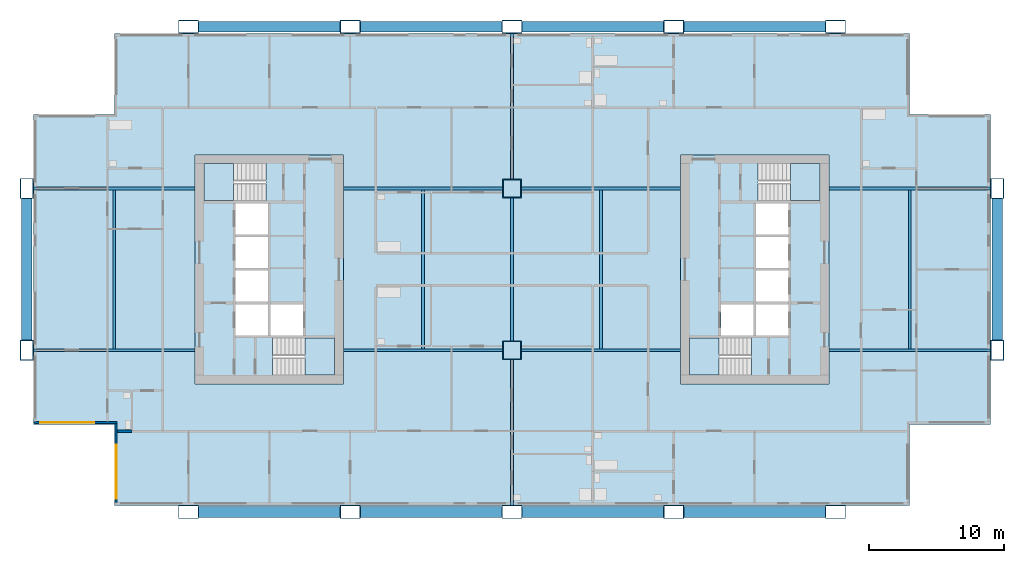
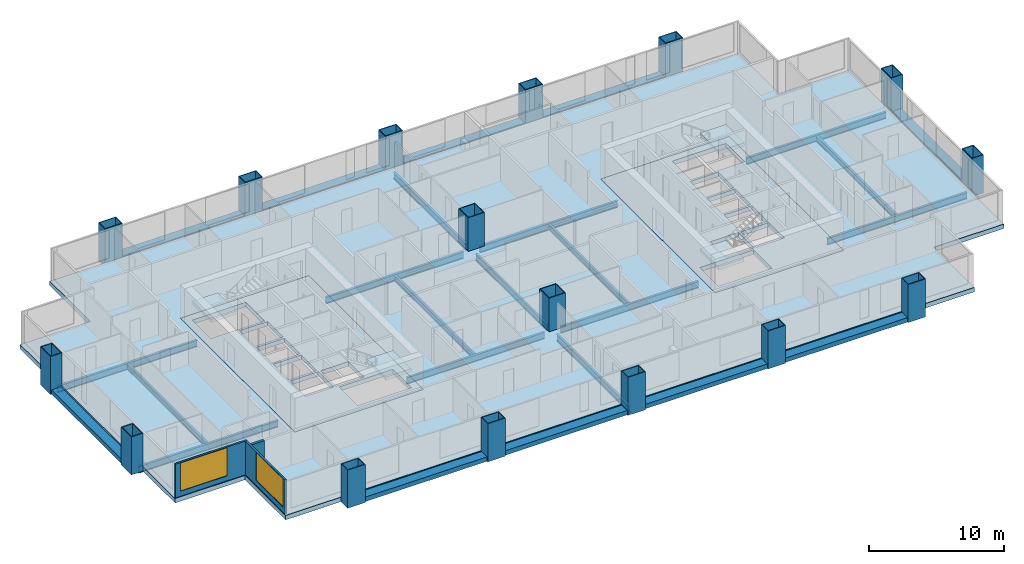
# One storey, part 1 of 11: 25 beams, 16 columns, 7 slabs, 3 walls, 2 windows, 2 openings, 4 elements without a shape of their own.
"""IFC4 building model written with IfcOpenShell, lengths in metres."""

from ifc_helpers import new_model, si_unit, direction, frame, frame_2d, origin, origin_2d, place, context, subcontext, project, spatial, polyline, rectangle, hollow_rectangle, i_section, outline, extrude, material, layer, layer_set, material_profile, profile_set, type_object, element, fill, aggregate, save


model = new_model("IFC4")

# Units and contexts
model_context = context("Model", 3, precision=1e-05, world=origin(), true_north=direction((0.0, 1.0)))
body_context = subcontext(model_context, "Body", "Model", "MODEL_VIEW")
ifc_project = project(units=[si_unit("LENGTHUNIT", "METRE"), si_unit("AREAUNIT", "SQUARE_METRE"), si_unit("VOLUMEUNIT", "CUBIC_METRE"), si_unit("PLANEANGLEUNIT", "RADIAN"), si_unit("MASSUNIT", "GRAM", prefix="KILO")], contexts=[model_context])

# Site, building, storey
site_placement = place(None, origin())
site = spatial("IfcSite", under=ifc_project, at=site_placement, CompositionType="ELEMENT")
building_placement = place(site_placement, origin())
building = spatial("IfcBuilding", under=site, at=building_placement, Name="Kitamizu Gate Tower and Museum", CompositionType="ELEMENT")
storey_placement = place(building_placement, frame((0.0, 0.0, 120.75)))
storey = spatial("IfcBuildingStorey", under=building, at=storey_placement, Name="L31", CompositionType="ELEMENT", Elevation=120.75)

# Columns
ifc_material_1 = material(Name="Steel SM490A bronze coated", Category="steel")
ifc_material_profile_1 = material_profile(ifc_material_1, hollow_rectangle(XDim=1.5, YDim=1.0, WallThickness=0.06005859375, at=origin_2d()), Name="BOX 1500x1000x60")
ifc_profile_set_1 = profile_set([ifc_material_profile_1], Name="Steel SM490A bronze coated")
column_type_1 = type_object("IfcColumnType", Name="Exoskeleton column XC4 BOX 1500x1000x60", PredefinedType="COLUMN", material=ifc_profile_set_1)
for number, where, z_axis, x_axis, name in (
    (1, (0.0, 24.0, -0.39990234375), (0.0, 0.0, 1.0), (0.0, 1.0, 0.0), "Column XC4 1C L31"),
    (2, (0.0, 36.0, -0.39990234375), (0.0, 0.0, 1.0), (0.0, 1.0, 0.0), "Column XC4 1D L31"),
    (3, (12.0, 12.0, -0.39990234375), (0.0, 0.0, 1.0), (1.0, 0.0, 0.0), "Column XC4 2B L31"),
    (4, (12.0, 48.0, -0.39990234375), (0.0, 0.0, 1.0), (1.0, 0.0, 0.0), "Column XC4 2E L31"),
    (5, (24.0, 12.0, -0.39990234375), (0.0, 0.0, 1.0), (1.0, 0.0, 0.0), "Column XC4 3B L31"),
    (6, (24.0, 48.0, -0.39990234375), (0.0, 0.0, 1.0), (1.0, 0.0, 0.0), "Column XC4 3E L31"),
    (7, (36.0, 12.0, -0.39990234375), (0.0, 0.0, 1.0), (1.0, 0.0, 0.0), "Column XC4 4B L31"),
    (8, (36.0, 48.0, -0.39990234375), (0.0, 0.0, 1.0), (1.0, 0.0, 0.0), "Column XC4 4E L31"),
    (9, (48.0, 12.0, -0.39990234375), (0.0, 0.0, 1.0), (1.0, 0.0, 0.0), "Column XC4 5B L31"),
    (10, (48.0, 48.0, -0.39990234375), (0.0, 0.0, 1.0), (1.0, 0.0, 0.0), "Column XC4 5E L31"),
    (11, (60.0, 12.0, -0.39990234375), (0.0, 0.0, 1.0), (1.0, 0.0, 0.0), "Column XC4 6B L31"),
    (12, (60.0, 48.0, -0.39990234375), (0.0, 0.0, 1.0), (1.0, 0.0, 0.0), "Column XC4 6E L31"),
    (13, (72.0, 24.0, -0.39990234375), (0.0, 0.0, 1.0), (0.0, 1.0, 0.0), "Column XC4 7C L31"),
    (14, (72.0, 36.0, -0.39990234375), (0.0, 0.0, 1.0), (0.0, 1.0, 0.0), "Column XC4 7D L31"),
):
    element("IfcColumn", number, at=place(storey_placement, frame(where, z_axis=z_axis, x_axis=x_axis)), inside=storey, type_object=column_type_1, Name=name, PredefinedType="COLUMN", context=body_context, shape_type="SweptSolid", body=[
        extrude(hollow_rectangle(XDim=1.5, YDim=1.0, WallThickness=0.06005859375, at=origin_2d()), origin(), (0.0, 0.0, 1.0), 3.449951171875),
    ])
ifc_material_2 = material(Name="Steel SM490A", Category="steel")
ifc_material_profile_2 = material_profile(ifc_material_2, hollow_rectangle(XDim=1.39990234375, YDim=1.39990234375, WallThickness=0.06005859375, at=origin_2d()), Name="BOX 1400x1400x60")
ifc_profile_set_2 = profile_set([ifc_material_profile_2], Name="Steel SM490A")
column_type_2 = type_object("IfcColumnType", Name="Interior column IC3 BOX 1400x1400x60", PredefinedType="COLUMN", material=ifc_profile_set_2)
for number, where, z_axis, x_axis, name in (
    (15, (36.0, 24.0, 0.0), (0.0, 0.0, 1.0), (1.0, 0.0, 0.0), "Column IC3 4C L31"),
    (16, (36.0, 36.0, 0.0), (0.0, 0.0, 1.0), (1.0, 0.0, 0.0), "Column IC3 4D L31"),
):
    element("IfcColumn", number, at=place(storey_placement, frame(where, z_axis=z_axis, x_axis=x_axis)), inside=storey, type_object=column_type_2, Name=name, PredefinedType="COLUMN", context=body_context, shape_type="SweptSolid", body=[
        extrude(hollow_rectangle(XDim=1.39990234375, YDim=1.39990234375, WallThickness=0.06005859375, at=origin_2d()), origin(), (0.0, 0.0, 1.0), 3.050048828125),
    ])

# Beams
ifc_material_3 = material(Name="Steel SM490A bronze coated", Category="steel")
ifc_material_profile_3 = material_profile(ifc_material_3, hollow_rectangle(XDim=0.800048828125, YDim=0.39990234375, WallThickness=0.0400390625, at=origin_2d()), Name="BOX 800x400x40")
ifc_profile_set_3 = profile_set([ifc_material_profile_3], Name="Steel SM490A bronze coated")
beam_type_1 = type_object("IfcBeamType", Name="Exoskeleton spandrel beam SB1 BOX 800x400x40", PredefinedType="SPANDREL", material=ifc_profile_set_3)
for number, where, z_axis, x_axis, name in (
    (17, (12.75, 12.0, -0.199951171875), (1.0, 0.0, 0.0), (0.0, 1.0, 0.0), "Exoskeleton spandrel beam south 12 L31"),
    (18, (24.75, 12.0, -0.199951171875), (1.0, 0.0, 0.0), (0.0, 1.0, 0.0), "Exoskeleton spandrel beam south 24 L31"),
    (19, (36.75, 12.0, -0.199951171875), (1.0, 0.0, 0.0), (0.0, 1.0, 0.0), "Exoskeleton spandrel beam south 36 L31"),
    (20, (48.75, 12.0, -0.199951171875), (1.0, 0.0, 0.0), (0.0, 1.0, 0.0), "Exoskeleton spandrel beam south 48 L31"),
    (21, (12.75, 48.0, -0.199951171875), (1.0, 0.0, 0.0), (0.0, 1.0, 0.0), "Exoskeleton spandrel beam north 12 L31"),
    (22, (24.75, 48.0, -0.199951171875), (1.0, 0.0, 0.0), (0.0, 1.0, 0.0), "Exoskeleton spandrel beam north 24 L31"),
    (23, (36.75, 48.0, -0.199951171875), (1.0, 0.0, 0.0), (0.0, 1.0, 0.0), "Exoskeleton spandrel beam north 36 L31"),
    (24, (48.75, 48.0, -0.199951171875), (1.0, 0.0, 0.0), (0.0, 1.0, 0.0), "Exoskeleton spandrel beam north 48 L31"),
    (25, (0.0, 24.75, -0.199951171875), (0.0, 1.0, 0.0), (-1.0, 0.0, 0.0), "Exoskeleton spandrel beam west 24 L31"),
    (26, (72.0, 24.75, -0.199951171875), (0.0, 1.0, 0.0), (-1.0, 0.0, 0.0), "Exoskeleton spandrel beam east 24 L31"),
):
    element("IfcBeam", number, at=place(storey_placement, frame(where, z_axis=z_axis, x_axis=x_axis)), inside=storey, type_object=beam_type_1, Name=name, PredefinedType="SPANDREL", context=body_context, shape_type="SweptSolid", body=[
        extrude(hollow_rectangle(XDim=0.800048828125, YDim=0.39990234375, WallThickness=0.0400390625, at=origin_2d()), origin(), (0.0, 0.0, 1.0), 10.5),
    ])
ifc_material_4 = material(Name="Steel SM490A", Category="steel")
ifc_material_profile_4 = material_profile(ifc_material_4, i_section(OverallWidth=0.199951171875, OverallDepth=0.5, WebThickness=0.010009765625, FlangeThickness=0.01611328125, FilletRadius=0.02001953125, at=origin_2d()), Name="H-500x200x10x16")
ifc_profile_set_4 = profile_set([ifc_material_profile_4], Name="Steel SM490A")
beam_type_2 = type_object("IfcBeamType", Name="Floor beam FB1 H 500x200x10x16", PredefinedType="BEAM", material=ifc_profile_set_4)
for number, where, z_axis, x_axis, name in (
    (27, (6.5, 24.10009765625, -0.64990234375), (0.0, 1.0, 0.0), (-1.0, 0.0, 0.0), "Floor beam FB1 L31-1"),
    (28, (29.39990234375, 24.10009765625, -0.64990234375), (0.0, 1.0, 0.0), (-1.0, 0.0, 0.0), "Floor beam FB1 L31-2"),
    (29, (42.60009765625, 24.10009765625, -0.64990234375), (0.0, 1.0, 0.0), (-1.0, 0.0, 0.0), "Floor beam FB1 L31-3"),
    (30, (65.5, 24.10009765625, -0.64990234375), (0.0, 1.0, 0.0), (-1.0, 0.0, 0.0), "Floor beam FB1 L31-4"),
):
    element("IfcBeam", number, at=place(storey_placement, frame(where, z_axis=z_axis, x_axis=x_axis)), inside=storey, type_object=beam_type_2, Name=name, PredefinedType="BEAM", context=body_context, shape_type="SweptSolid", body=[
        extrude(i_section(OverallWidth=0.199951171875, OverallDepth=0.5, WebThickness=0.010009765625, FlangeThickness=0.01611328125, FilletRadius=0.02001953125, at=origin_2d()), origin(), (0.0, 0.0, 1.0), 11.7998046875),
    ])
ifc_material_5 = material(Name="Steel SM490A", Category="steel")
ifc_material_profile_5 = material_profile(ifc_material_5, i_section(OverallWidth=0.199951171875, OverallDepth=0.60009765625, WebThickness=0.010986328125, FlangeThickness=0.01708984375, FilletRadius=0.02197265625, at=origin_2d()), Name="H-600x200x11x17")
ifc_profile_set_5 = profile_set([ifc_material_profile_5], Name="Steel SM490A")
beam_type_3 = type_object("IfcBeamType", Name="Floor girder FG1 H 600x200x11x17", PredefinedType="BEAM", material=ifc_profile_set_5)
beam_1_placement = place(storey_placement, frame((36.0, 12.5, -0.699951171875), z_axis=(0.0, 1.0, 0.0), x_axis=(-1.0, 0.0, 0.0)))
element("IfcBeam", 31, at=beam_1_placement, inside=storey, type_object=beam_type_3, Name="Floor girder FG1 x36 L31", PredefinedType="BEAM", context=body_context, shape_type="SweptSolid", body=[
    extrude(i_section(OverallWidth=0.199951171875, OverallDepth=0.60009765625, WebThickness=0.010986328125, FlangeThickness=0.01708984375, FilletRadius=0.02197265625, at=origin_2d()), origin(), (0.0, 0.0, 1.0), 10.800048828125),
])
beam_2_placement = place(storey_placement, frame((36.0, 24.699951171875, -0.699951171875), z_axis=(0.0, 1.0, 0.0), x_axis=(-1.0, 0.0, 0.0)))
element("IfcBeam", 32, at=beam_2_placement, inside=storey, type_object=beam_type_3, Name="Floor girder FG1 x36 L31", PredefinedType="BEAM", context=body_context, shape_type="SweptSolid", body=[
    extrude(i_section(OverallWidth=0.199951171875, OverallDepth=0.60009765625, WebThickness=0.010986328125, FlangeThickness=0.01708984375, FilletRadius=0.02197265625, at=origin_2d()), origin(), (0.0, 0.0, 1.0), 10.60009765625),
])
beam_3_placement = place(storey_placement, frame((36.0, 36.699951171875, -0.699951171875), z_axis=(0.0, 1.0, 0.0), x_axis=(-1.0, 0.0, 0.0)))
element("IfcBeam", 33, at=beam_3_placement, inside=storey, type_object=beam_type_3, Name="Floor girder FG1 x36 L31", PredefinedType="BEAM", context=body_context, shape_type="SweptSolid", body=[
    extrude(i_section(OverallWidth=0.199951171875, OverallDepth=0.60009765625, WebThickness=0.010986328125, FlangeThickness=0.01708984375, FilletRadius=0.02197265625, at=origin_2d()), origin(), (0.0, 0.0, 1.0), 10.800048828125),
])
beam_4_placement = place(storey_placement, frame((0.5, 24.0, -0.699951171875), z_axis=(1.0, 0.0, 0.0), x_axis=(0.0, 1.0, 0.0)))
element("IfcBeam", 34, at=beam_4_placement, inside=storey, type_object=beam_type_3, Name="Floor girder FG1 y24 L31", PredefinedType="BEAM", context=body_context, shape_type="SweptSolid", body=[
    extrude(i_section(OverallWidth=0.199951171875, OverallDepth=0.60009765625, WebThickness=0.010986328125, FlangeThickness=0.01708984375, FilletRadius=0.02197265625, at=origin_2d()), origin(), (0.0, 0.0, 1.0), 12.0),
])
for number, where, z_axis, x_axis, name in (
    (35, (23.5, 24.0, -0.699951171875), (1.0, 0.0, 0.0), (0.0, 1.0, 0.0), "Floor girder FG1 y24 L31"),
    (36, (36.699951171875, 24.0, -0.699951171875), (1.0, 0.0, 0.0), (0.0, 1.0, 0.0), "Floor girder FG1 y24 L31"),
):
    element("IfcBeam", number, at=place(storey_placement, frame(where, z_axis=z_axis, x_axis=x_axis)), inside=storey, type_object=beam_type_3, Name=name, PredefinedType="BEAM", context=body_context, shape_type="SweptSolid", body=[
        extrude(i_section(OverallWidth=0.199951171875, OverallDepth=0.60009765625, WebThickness=0.010986328125, FlangeThickness=0.01708984375, FilletRadius=0.02197265625, at=origin_2d()), origin(), (0.0, 0.0, 1.0), 11.800048828125),
    ])
for number, where, z_axis, x_axis, name in (
    (37, (59.5, 24.0, -0.699951171875), (1.0, 0.0, 0.0), (0.0, 1.0, 0.0), "Floor girder FG1 y24 L31"),
    (38, (0.5, 36.0, -0.699951171875), (1.0, 0.0, 0.0), (0.0, 1.0, 0.0), "Floor girder FG1 y36 L31"),
):
    element("IfcBeam", number, at=place(storey_placement, frame(where, z_axis=z_axis, x_axis=x_axis)), inside=storey, type_object=beam_type_3, Name=name, PredefinedType="BEAM", context=body_context, shape_type="SweptSolid", body=[
        extrude(i_section(OverallWidth=0.199951171875, OverallDepth=0.60009765625, WebThickness=0.010986328125, FlangeThickness=0.01708984375, FilletRadius=0.02197265625, at=origin_2d()), origin(), (0.0, 0.0, 1.0), 12.0),
    ])
for number, where, z_axis, x_axis, name in (
    (39, (23.5, 36.0, -0.699951171875), (1.0, 0.0, 0.0), (0.0, 1.0, 0.0), "Floor girder FG1 y36 L31"),
    (40, (36.699951171875, 36.0, -0.699951171875), (1.0, 0.0, 0.0), (0.0, 1.0, 0.0), "Floor girder FG1 y36 L31"),
):
    element("IfcBeam", number, at=place(storey_placement, frame(where, z_axis=z_axis, x_axis=x_axis)), inside=storey, type_object=beam_type_3, Name=name, PredefinedType="BEAM", context=body_context, shape_type="SweptSolid", body=[
        extrude(i_section(OverallWidth=0.199951171875, OverallDepth=0.60009765625, WebThickness=0.010986328125, FlangeThickness=0.01708984375, FilletRadius=0.02197265625, at=origin_2d()), origin(), (0.0, 0.0, 1.0), 11.800048828125),
    ])
beam_5_placement = place(storey_placement, frame((59.5, 36.0, -0.699951171875), z_axis=(1.0, 0.0, 0.0), x_axis=(0.0, 1.0, 0.0)))
element("IfcBeam", 41, at=beam_5_placement, inside=storey, type_object=beam_type_3, Name="Floor girder FG1 y36 L31", PredefinedType="BEAM", context=body_context, shape_type="SweptSolid", body=[
    extrude(i_section(OverallWidth=0.199951171875, OverallDepth=0.60009765625, WebThickness=0.010986328125, FlangeThickness=0.01708984375, FilletRadius=0.02197265625, at=origin_2d()), origin(), (0.0, 0.0, 1.0), 12.0),
])

# Slabs
ifc_material_6 = material(Name="Concrete Fc36", Category="concrete")
ifc_layer_1 = layer(ifc_material_6, 0.39990234375)
ifc_layer_set_1 = layer_set([ifc_layer_1], Name="Concrete Fc36")
slab_type_1 = type_object("IfcSlabType", Name="Core floor slab 400", PredefinedType="FLOOR", material=ifc_layer_set_1)
slab_1_placement = place(storey_placement, frame((0.0, 0.0, -0.39990234375)))
element("IfcSlab", 42, at=slab_1_placement, inside=storey, type_object=slab_type_1, Name="Core floor slab W", PredefinedType="FLOOR", context=body_context, shape_type="SweptSolid", body=[
    extrude(outline(polyline([(12.5, 21.5), (23.5, 21.5), (23.5, 38.5), (12.5, 38.5), (12.5, 21.5)]), holes=[polyline([(15.5, 25.10009765625), (17.89990234375, 25.10009765625), (17.89990234375, 27.39990234375), (15.5, 27.39990234375), (15.5, 25.10009765625)]), polyline([(15.5, 27.60009765625), (17.89990234375, 27.60009765625), (17.89990234375, 29.89990234375), (15.5, 29.89990234375), (15.5, 27.60009765625)]), polyline([(15.5, 30.10009765625), (17.89990234375, 30.10009765625), (17.89990234375, 32.39990234375), (15.5, 32.39990234375), (15.5, 30.10009765625)]), polyline([(15.5, 32.60009765625), (17.89990234375, 32.60009765625), (17.89990234375, 34.89990234375), (15.5, 34.89990234375), (15.5, 32.60009765625)]), polyline([(18.10009765625, 25.10009765625), (20.5, 25.10009765625), (20.5, 27.39990234375), (18.10009765625, 27.39990234375), (18.10009765625, 25.10009765625)]), polyline([(18.25048828125, 22.14990234375), (22.85009765625, 22.14990234375), (22.85009765625, 24.89990234375), (18.25048828125, 24.89990234375), (18.25048828125, 22.14990234375)]), polyline([(13.14990234375, 35.10009765625), (17.74951171875, 35.10009765625), (17.74951171875, 37.85009765625), (13.14990234375, 37.85009765625), (13.14990234375, 35.10009765625)])]), origin(), (0.0, 0.0, 1.0), 0.39990234375),
])
slab_2_placement = place(storey_placement, frame((0.0, 0.0, -0.39990234375)))
element("IfcSlab", 43, at=slab_2_placement, inside=storey, type_object=slab_type_1, Name="Core floor slab E", PredefinedType="FLOOR", context=body_context, shape_type="SweptSolid", body=[
    extrude(outline(polyline([(48.5, 21.5), (59.5, 21.5), (59.5, 38.5), (48.5, 38.5), (48.5, 21.5)]), holes=[polyline([(54.10009765625, 25.10009765625), (56.5, 25.10009765625), (56.5, 27.39990234375), (54.10009765625, 27.39990234375), (54.10009765625, 25.10009765625)]), polyline([(54.10009765625, 27.60009765625), (56.5, 27.60009765625), (56.5, 29.89990234375), (54.10009765625, 29.89990234375), (54.10009765625, 27.60009765625)]), polyline([(54.10009765625, 30.10009765625), (56.5, 30.10009765625), (56.5, 32.39990234375), (54.10009765625, 32.39990234375), (54.10009765625, 30.10009765625)]), polyline([(54.10009765625, 32.60009765625), (56.5, 32.60009765625), (56.5, 34.89990234375), (54.10009765625, 34.89990234375), (54.10009765625, 32.60009765625)]), polyline([(51.5, 25.10009765625), (53.89990234375, 25.10009765625), (53.89990234375, 27.39990234375), (51.5, 27.39990234375), (51.5, 25.10009765625)]), polyline([(49.14990234375, 22.14990234375), (53.74951171875, 22.14990234375), (53.74951171875, 24.89990234375), (49.14990234375, 24.89990234375), (49.14990234375, 22.14990234375)]), polyline([(54.25048828125, 35.10009765625), (58.85009765625, 35.10009765625), (58.85009765625, 37.85009765625), (54.25048828125, 37.85009765625), (54.25048828125, 35.10009765625)])]), origin(), (0.0, 0.0, 1.0), 0.39990234375),
])
ifc_material_7 = material(Name="Concrete Fc36", Category="concrete")
ifc_layer_2 = layer(ifc_material_7, 0.39990234375)
ifc_layer_set_2 = layer_set([ifc_layer_2], Name="Concrete Fc36")
slab_type_2 = type_object("IfcSlabType", Name="Post tensioned flat slab 400", PredefinedType="FLOOR", material=ifc_layer_set_2)
slab_3_placement = place(storey_placement, frame((0.0, 0.0, -0.39990234375)))
element("IfcSlab", 44, at=slab_3_placement, inside=storey, type_object=slab_type_2, Name="Floor slab L31-1", PredefinedType="FLOOR", context=body_context, shape_type="SweptSolid", body=[
    extrude(outline(polyline([(0.5, 18.5), (0.5, 41.5), (6.5, 41.5), (6.5, 47.5), (65.5, 47.5), (65.5, 41.5), (71.5, 41.5), (71.5, 18.5), (65.5, 18.5), (65.5, 12.5), (6.5, 12.5), (6.5, 18.5), (0.5, 18.5)]), holes=[polyline([(59.5, 38.5), (48.5, 38.5), (48.5, 21.5), (59.5, 21.5), (59.5, 38.5)]), polyline([(12.5, 38.5), (12.5, 21.5), (23.5, 21.5), (23.5, 38.5), (12.5, 38.5)])]), origin(), (0.0, 0.0, 1.0), 0.39990234375),
])

# Stair, slab
ifc_material_8 = material(Name="Concrete Fc42", Category="concrete")
stair_type = type_object("IfcStairType", Name="Exit stair 1275 wide 192 rise 300 going", PredefinedType="HALF_TURN_STAIR", material=ifc_material_8)
stair_1_placement = place(storey_placement, origin())
stair_1 = element("IfcStair", 45, at=stair_1_placement, inside=storey, type_object=stair_type, Name="Exit stair ST1", PredefinedType="HALF_TURN_STAIR")
ifc_material_9 = material(Name="Concrete Fc42", Category="concrete")
ifc_layer_3 = layer(ifc_material_9, 0.300048828125)
ifc_layer_set_3 = layer_set([ifc_layer_3], Name="Concrete Fc42")
slab_type_3 = type_object("IfcSlabType", Name="Stair landing 300", PredefinedType="LANDING", material=ifc_layer_set_3)
slab_4_placement = place(storey_placement, frame((0.0, 0.0, 1.425048828125)))
slab_4 = element("IfcSlab", 46, at=slab_4_placement, type_object=slab_type_3, Name="ST1 landing 1", PredefinedType="LANDING", context=body_context, shape_type="SweptSolid", body=[
    extrude(outline(polyline([(20.64990234375, 22.14990234375), (22.85009765625, 22.14990234375), (22.85009765625, 24.89990234375), (20.64990234375, 24.89990234375), (20.64990234375, 22.14990234375)])), origin(), (0.0, 0.0, 1.0), 0.300048828125),
])
aggregate(stair_1, [slab_4])

stair_2_placement = place(storey_placement, origin())
stair_2 = element("IfcStair", 47, at=stair_2_placement, inside=storey, type_object=stair_type, Name="Exit stair ST2", PredefinedType="HALF_TURN_STAIR")
slab_5_placement = place(storey_placement, frame((0.0, 0.0, 1.425048828125)))
slab_5 = element("IfcSlab", 48, at=slab_5_placement, type_object=slab_type_3, Name="ST2 landing 1", PredefinedType="LANDING", context=body_context, shape_type="SweptSolid", body=[
    extrude(outline(polyline([(13.14990234375, 35.10009765625), (15.35009765625, 35.10009765625), (15.35009765625, 37.85009765625), (13.14990234375, 37.85009765625), (13.14990234375, 35.10009765625)])), origin(), (0.0, 0.0, 1.0), 0.300048828125),
])
aggregate(stair_2, [slab_5])

stair_3_placement = place(storey_placement, origin())
stair_3 = element("IfcStair", 49, at=stair_3_placement, inside=storey, type_object=stair_type, Name="Exit stair ST3", PredefinedType="HALF_TURN_STAIR")
slab_6_placement = place(storey_placement, frame((0.0, 0.0, 1.425048828125)))
slab_6 = element("IfcSlab", 50, at=slab_6_placement, type_object=slab_type_3, Name="ST3 landing 1", PredefinedType="LANDING", context=body_context, shape_type="SweptSolid", body=[
    extrude(outline(polyline([(49.14990234375, 22.14990234375), (51.35009765625, 22.14990234375), (51.35009765625, 24.89990234375), (49.14990234375, 24.89990234375), (49.14990234375, 22.14990234375)])), origin(), (0.0, 0.0, 1.0), 0.300048828125),
])
aggregate(stair_3, [slab_6])

stair_4_placement = place(storey_placement, origin())
stair_4 = element("IfcStair", 51, at=stair_4_placement, inside=storey, type_object=stair_type, Name="Exit stair ST4", PredefinedType="HALF_TURN_STAIR")
slab_7_placement = place(storey_placement, frame((0.0, 0.0, 1.425048828125)))
slab_7 = element("IfcSlab", 52, at=slab_7_placement, type_object=slab_type_3, Name="ST4 landing 1", PredefinedType="LANDING", context=body_context, shape_type="SweptSolid", body=[
    extrude(outline(polyline([(56.64990234375, 35.10009765625), (58.85009765625, 35.10009765625), (58.85009765625, 37.85009765625), (56.64990234375, 37.85009765625), (56.64990234375, 35.10009765625)])), origin(), (0.0, 0.0, 1.0), 0.300048828125),
])
aggregate(stair_4, [slab_7])

# Wall
ifc_material_10 = material(Name="Gypsum board on galvanised stud")
ifc_layer_4 = layer(ifc_material_10, 0.199951171875)
ifc_layer_set_4 = layer_set([ifc_layer_4], Name="Gypsum board on galvanised stud")
wall_type_1 = type_object("IfcWallType", Name="Partition 200", PredefinedType="PARTITIONING", material=ifc_layer_set_4)
wall_1_placement = place(storey_placement, frame((7.800048828125, 18.0, 0.0), z_axis=(0.0, 0.0, 1.0), x_axis=(-1.0, 0.0, 0.0)))
element("IfcWall", 53, at=wall_1_placement, inside=storey, type_object=wall_type_1, Name="Partition L31-002", PredefinedType="PARTITIONING", context=body_context, shape_type="SweptSolid", body=[
    extrude(rectangle(XDim=1.080078125, YDim=0.199951171875, at=frame_2d((0.5400390625, 0.0))), origin(), (0.0, 0.0, 1.0), 3.050048828125),
])

# Wall, opening, window
ifc_material_11 = material(Name="Bronze anodised aluminium frame with insulated spandrel and tinted glass", Category="aluminium")
ifc_layer_5 = layer(ifc_material_11, 0.14990234375)
ifc_layer_set_5 = layer_set([ifc_layer_5], Name="Bronze anodised aluminium frame with insulated spandrel and tinted glass")
wall_type_2 = type_object("IfcWallType", Name="WINDOW WALL 150 BRONZE FRAME EI 30", PredefinedType="ELEMENTEDWALL", material=ifc_layer_set_5)
wall_2_placement = place(storey_placement, frame((0.56005859375, 18.635009765625, 0.0), z_axis=(0.0, 0.0, 1.0), x_axis=(1.0, 0.0, 0.0)))
wall_2 = element("IfcWall", 54, at=wall_2_placement, inside=storey, type_object=wall_type_2, Name="Window wall south L31", PredefinedType="ELEMENTEDWALL", context=body_context, shape_type="SweptSolid", body=[
    extrude(rectangle(XDim=6.14990234375, YDim=0.14990234375, at=frame_2d((3.074951171875, 0.0))), origin(), (0.0, 0.0, 1.0), 3.050048828125),
])
opening_1_placement = place(wall_2_placement, frame((0.43994140625, 0.0, 0.449951171875)))
opening_1 = element("IfcOpeningElement", 55, at=opening_1_placement, cuts=wall_2, Name="Opening W16", PredefinedType="OPENING", context=body_context, shape_type="SweptSolid", body=[
    extrude(rectangle(XDim=4.0, YDim=2.550048828125, at=frame_2d((2.0, 1.27490234375))), frame((0.0, 0.0849609375, 0.0), z_axis=(0.0, -1.0, 0.0), x_axis=(1.0, 0.0, 0.0)), (0.0, 0.0, 1.0), 0.169921875),
])
ifc_material_12 = material(Name="Bronze anodised aluminium frame, tinted triple glazing", Category="aluminium")
window_type = type_object("IfcWindowType", Name="WINDOW 4000 x 2550 SILL 450", PartitioningType="SINGLE_PANEL", PredefinedType="WINDOW", material=ifc_material_12)
window_1_placement = place(opening_1_placement, origin())
window_1 = element("IfcWindow", 56, at=window_1_placement, inside=storey, type_object=window_type, Name="Window W16 L31", OverallHeight=2.550048828125, OverallWidth=4.0, PartitioningType="SINGLE_PANEL", PredefinedType="WINDOW", context=body_context, shape_type="SweptSolid", body=[
    extrude(rectangle(XDim=4.0, YDim=2.550048828125, at=frame_2d((2.0, 1.27490234375))), frame((0.0, 0.030029296875, 0.0), z_axis=(0.0, -1.0, 0.0), x_axis=(1.0, 0.0, 0.0)), (0.0, 0.0, 1.0), 0.06005859375),
])
fill(opening_1, window_1)

wall_3_placement = place(storey_placement, frame((6.635009765625, 12.7099609375, 0.0), z_axis=(0.0, 0.0, 1.0), x_axis=(0.0, 1.0, 0.0)))
wall_3 = element("IfcWall", 57, at=wall_3_placement, inside=storey, type_object=wall_type_2, Name="Window wall west L31", PredefinedType="ELEMENTEDWALL", context=body_context, shape_type="SweptSolid", body=[
    extrude(rectangle(XDim=5.85009765625, YDim=0.14990234375, at=frame_2d((2.925048828125, 0.0))), origin(), (0.0, 0.0, 1.0), 3.050048828125),
])
opening_2_placement = place(wall_3_placement, frame((0.2900390625, 0.0, 0.449951171875)))
opening_2 = element("IfcOpeningElement", 58, at=opening_2_placement, cuts=wall_3, Name="Opening W16", PredefinedType="OPENING", context=body_context, shape_type="SweptSolid", body=[
    extrude(rectangle(XDim=4.0, YDim=2.550048828125, at=frame_2d((2.0, 1.27490234375))), frame((0.0, 0.0849609375, 0.0), z_axis=(0.0, -1.0, 0.0), x_axis=(1.0, 0.0, 0.0)), (0.0, 0.0, 1.0), 0.169921875),
])
window_2_placement = place(opening_2_placement, origin())
window_2 = element("IfcWindow", 59, at=window_2_placement, inside=storey, type_object=window_type, Name="Window W16 L31", OverallHeight=2.550048828125, OverallWidth=4.0, PartitioningType="SINGLE_PANEL", PredefinedType="WINDOW", context=body_context, shape_type="SweptSolid", body=[
    extrude(rectangle(XDim=4.0, YDim=2.550048828125, at=frame_2d((2.0, 1.27490234375))), frame((0.0, 0.030029296875, 0.0), z_axis=(0.0, -1.0, 0.0), x_axis=(1.0, 0.0, 0.0)), (0.0, 0.0, 1.0), 0.06005859375),
])
fill(opening_2, window_2)

save(model, "model.ifc")
